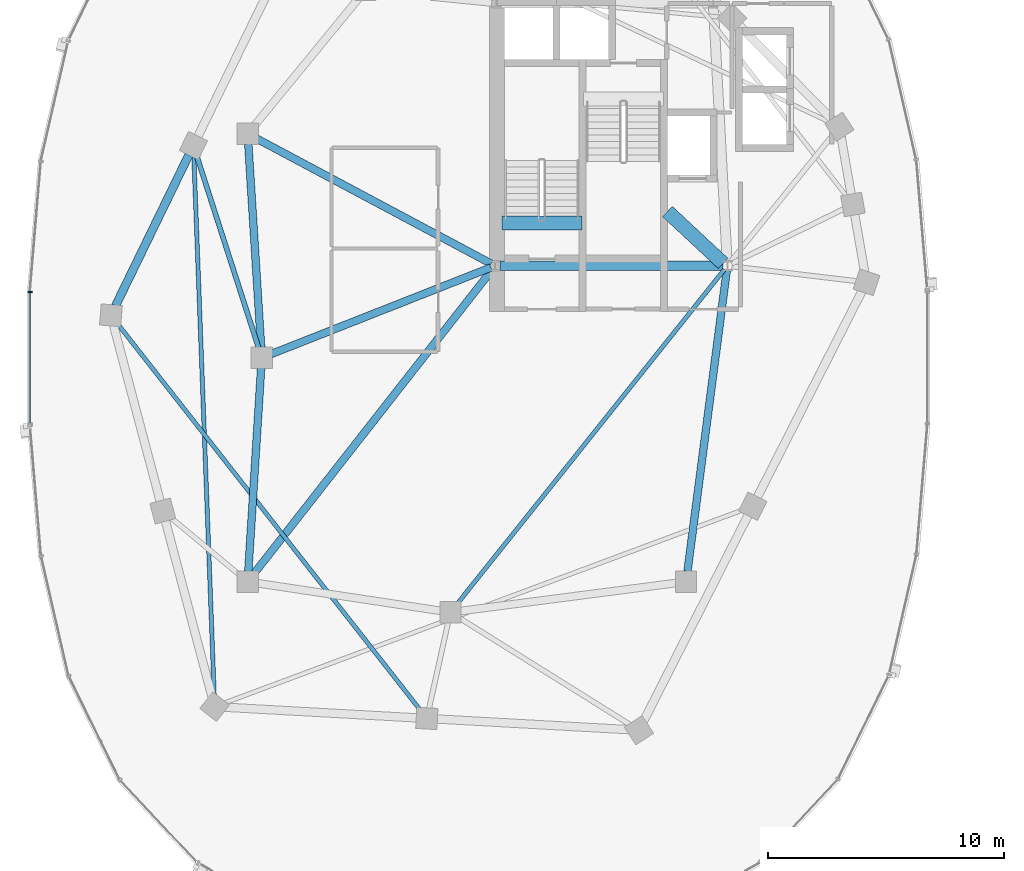
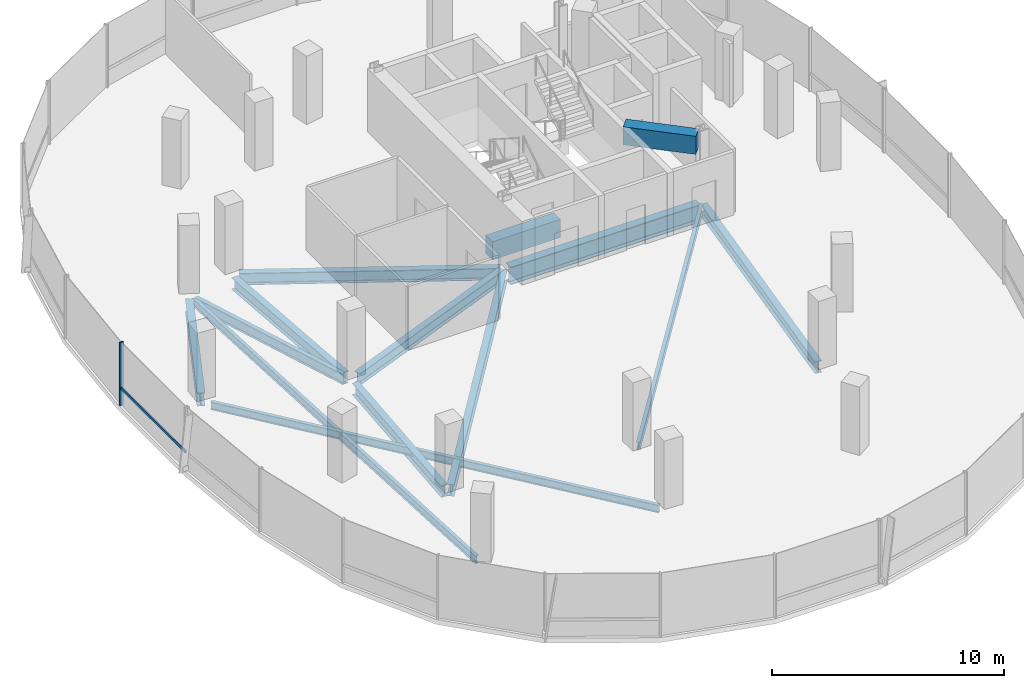
# One storey, part 4 of 24: 14 beams, 2 members, 1 element without a shape of its own.
"""IFC4 building model written with IfcOpenShell, lengths in metres."""

import ifcopenshell
import ifcopenshell.guid

model = None  # the IFC model being written
_history = None  # IfcOwnerHistory: only IFC2X3 demands one
_inside = {}  # id of a spatial element -> (the spatial element, [elements in it])
_under = {}  # id of a project, library or spatial element -> (it, [spatial elements below it])
_declared = {}  # id of a project -> (the project, [libraries it declares])
_typed = {}  # id of a type object -> (the type object, [elements of that type])
_made_of = {}  # id of a material, layer set ... -> (it, [elements and type objects made of it])


def new_model(schema):
    """Start an empty IFC model of exactly this schema.

    Asked for "IFC4X3", IfcOpenShell would pick the latest addendum, in which some entities
    have other attributes; the version numbers below select the first issue.
    IFC2X3 requires an IfcOwnerHistory on every rooted entity: one is made here for all.
    """
    global model, _history
    if schema == "IFC4X3":
        model = ifcopenshell.file(schema_version=(4, 3, 0, 0))
    else:
        model = ifcopenshell.file(schema=schema)
    _inside.clear()
    _under.clear()
    _declared.clear()
    _typed.clear()
    _made_of.clear()
    _history = None
    if model.schema == "IFC2X3":
        org = make("IfcOrganization", Name="unknown")
        user = make(
            "IfcPersonAndOrganization",
            ThePerson=make("IfcPerson", FamilyName="unknown"),
            TheOrganization=org,
        )
        app = make(
            "IfcApplication",
            ApplicationDeveloper=org,
            Version="unknown",
            ApplicationFullName="unknown",
            ApplicationIdentifier="unknown",
        )
        _history = make(
            "IfcOwnerHistory",
            OwningUser=user,
            OwningApplication=app,
            ChangeAction="ADDED",
            CreationDate=0,
        )
    return model


def make(cls, **values):
    """One entity of the class cls with the attributes given. An attribute that is None is left unset."""
    return model.create_entity(
        cls, **{name: value for name, value in values.items() if value is not None}
    )


def rooted(cls, **values):
    """An entity with a GlobalId (a new one), such as an element, a storey or a relation."""
    return make(cls, GlobalId=ifcopenshell.guid.new(), OwnerHistory=_history, **values)


def si_unit(unit_type, name, prefix=None):
    """IfcSIUnit, for example si_unit("LENGTHUNIT", "METRE", prefix="MILLI")."""
    return make("IfcSIUnit", UnitType=unit_type, Prefix=prefix, Name=name)


def assignment(units):
    """IfcUnitAssignment: the units of a project."""
    return None if units is None else make("IfcUnitAssignment", Units=units)


def point(xyz):
    """IfcCartesianPoint."""
    return None if xyz is None else make("IfcCartesianPoint", Coordinates=xyz)


def direction(xyz):
    """IfcDirection."""
    return None if xyz is None else make("IfcDirection", DirectionRatios=xyz)


def frame(location, z_axis=None, x_axis=None):
    """IfcAxis2Placement3D, a coordinate frame: its origin and axes. An axis left out is left unset."""
    return make(
        "IfcAxis2Placement3D",
        Location=point(location),
        Axis=direction(z_axis),
        RefDirection=direction(x_axis),
    )


def frame_2d(location, x_axis=None):
    """IfcAxis2Placement2D, a coordinate frame in the plane: its origin and x axis."""
    return make(
        "IfcAxis2Placement2D", Location=point(location), RefDirection=direction(x_axis)
    )


def origin():
    """The frame at (0, 0, 0) with its axes left unset."""
    return frame((0.0, 0.0, 0.0))


def origin_2d():
    """The frame at (0, 0) in the plane with its x axis left unset."""
    return frame_2d((0.0, 0.0))


def place(relative_to, where):
    """IfcLocalPlacement: puts the frame where relative to a parent placement (None: the world)."""
    return make(
        "IfcLocalPlacement", PlacementRelTo=relative_to, RelativePlacement=where
    )


def context(
    kind, dimensions, precision=None, world=None, true_north=None, identifier=None
):
    """IfcGeometricRepresentationContext, for example the 3D "Model" context."""
    return make(
        "IfcGeometricRepresentationContext",
        ContextIdentifier=identifier,
        ContextType=kind,
        CoordinateSpaceDimension=dimensions,
        Precision=precision,
        WorldCoordinateSystem=world,
        TrueNorth=true_north,
    )


def subcontext(parent, identifier, kind, view, scale=None):
    """IfcGeometricRepresentationSubContext, for example "Body" below "Model"."""
    return make(
        "IfcGeometricRepresentationSubContext",
        ContextIdentifier=identifier,
        ContextType=kind,
        ParentContext=parent,
        TargetScale=scale,
        TargetView=view,
    )


def project(units=None, contexts=None):
    """IfcProject with its units and contexts."""
    return rooted(
        "IfcProject",
        Name="project",
        RepresentationContexts=contexts,
        UnitsInContext=assignment(units),
    )


def spatial(cls, under=None, at=None, **own):
    """A site, building, storey or space (cls), placed at a placement, below another one or the project."""
    s = rooted(cls, ObjectPlacement=at, **own)
    if under is not None:
        _under.setdefault(under.id(), (under, []))[1].append(s)
    return s


def profile(cls, at=None, kind="AREA", **sizes):
    """A parametric profile (cls). Its sizes go by their IFC names, for example OverallWidth=200.0."""
    return make(cls, ProfileType=kind, Position=at, **sizes)


def rectangle(**sizes):
    """IfcRectangleProfileDef."""
    return profile("IfcRectangleProfileDef", **sizes)


def i_section(**sizes):
    """IfcIShapeProfileDef."""
    return profile("IfcIShapeProfileDef", **sizes)


def extrude(swept, where, along, depth):
    """IfcExtrudedAreaSolid: the profile swept, set in the frame where, extruded along a direction by depth."""
    return make(
        "IfcExtrudedAreaSolid",
        SweptArea=swept,
        Position=where,
        ExtrudedDirection=direction(along),
        Depth=depth,
    )


def shape(context_of_items, identifier, shape_type, items):
    """IfcShapeRepresentation: the items that make up one representation, for example the "Body"."""
    return make(
        "IfcShapeRepresentation",
        ContextOfItems=context_of_items,
        RepresentationIdentifier=identifier,
        RepresentationType=shape_type,
        Items=items,
    )


def material(Name=None, Category=None):
    """IfcMaterial."""
    return make("IfcMaterial", Name=Name, Category=Category)


def material_profile(
    of_material, cross_section, Name=None, Category=None, Priority=None
):
    """IfcMaterialProfile: a cross section and its material."""
    return make(
        "IfcMaterialProfile",
        Name=Name,
        Material=of_material,
        Profile=cross_section,
        Priority=Priority,
        Category=Category,
    )


def profile_set(profiles, Name=None, composite=None):
    """IfcMaterialProfileSet."""
    return make(
        "IfcMaterialProfileSet",
        Name=Name,
        MaterialProfiles=profiles,
        CompositeProfile=composite,
    )


def made_of(thing, what):
    """Note that an element or type object is made of a material, layer set ...; save() writes the relation."""
    if what is not None:
        _made_of.setdefault(what.id(), (what, []))[1].append(thing)
    return thing


def type_object(cls, material=None, **own):
    """A type object (cls), such as IfcWallType, which elements share."""
    return made_of(rooted(cls, **own), material)


def element(
    cls,
    number,
    at=None,
    inside=None,
    cuts=None,
    type_object=None,
    material=None,
    context=None,
    identifier="Body",
    shape_type=None,
    held_by="IfcProductDefinitionShape",
    body=None,
    shapes=None,
    **own,
):
    """One element of the class cls, such as IfcWall. Its Tag is "e" and its number.

    at: its placement. inside: the storey or other place that contains it. cuts: it is an
    opening in that element (IfcRelVoidsElement). A single representation is given by context,
    identifier, shape_type and body (its items); several are given by shapes. held_by: the class
    of the entity that holds the representations. save() writes the other relations.
    """
    e = rooted(cls, Tag="e%d" % number, ObjectPlacement=at, **own)
    if body is not None:
        shapes = [shape(context, identifier, shape_type, body)]
    if shapes is not None:
        e.Representation = make(held_by, Representations=shapes)
    if inside is not None:
        _inside.setdefault(inside.id(), (inside, []))[1].append(e)
    if cuts is not None:
        rooted(
            "IfcRelVoidsElement", RelatingBuildingElement=cuts, RelatedOpeningElement=e
        )
    if type_object is not None:
        _typed.setdefault(type_object.id(), (type_object, []))[1].append(e)
    return made_of(e, material)


def aggregate(whole, parts):
    """IfcRelAggregates: a whole, such as a stair, and the parts it consists of."""
    return rooted("IfcRelAggregates", RelatingObject=whole, RelatedObjects=parts)


def save(model, path):
    """Write the relations noted so far, then the file.

    IfcRelAggregates (storeys below a building ...), IfcRelContainedInSpatialStructure (elements
    in a storey), IfcRelDefinesByType, IfcRelAssociatesMaterial and IfcRelDeclares: one each for
    every whole, place, type object, material and project.
    """
    for whole, parts in _under.values():
        aggregate(whole, parts)
    for where, things in _inside.values():
        rooted(
            "IfcRelContainedInSpatialStructure",
            RelatedElements=things,
            RelatingStructure=where,
        )
    for kind, things in _typed.values():
        rooted("IfcRelDefinesByType", RelatedObjects=things, RelatingType=kind)
    for what, things in _made_of.values():
        rooted("IfcRelAssociatesMaterial", RelatedObjects=things, RelatingMaterial=what)
    for by, libraries in _declared.values():
        rooted("IfcRelDeclares", RelatingContext=by, RelatedDefinitions=libraries)
    model.write(path)


model = new_model("IFC4")

# Units and contexts
model_context = context("Model", 3, precision=1e-05, world=origin(), true_north=direction((0.0, 1.0)))
body_context = subcontext(model_context, "Body", "Model", "MODEL_VIEW")
ifc_project = project(units=[si_unit("LENGTHUNIT", "METRE"), si_unit("AREAUNIT", "SQUARE_METRE"), si_unit("VOLUMEUNIT", "CUBIC_METRE"), si_unit("PLANEANGLEUNIT", "RADIAN"), si_unit("MASSUNIT", "GRAM", prefix="KILO"), si_unit("THERMODYNAMICTEMPERATUREUNIT", "KELVIN"), si_unit("POWERUNIT", "WATT")], contexts=[model_context])

# Site, building, storey
site_placement = place(None, origin())
site = spatial("IfcSite", under=ifc_project, at=site_placement, CompositionType="ELEMENT")
building_placement = place(site_placement, origin())
building = spatial("IfcBuilding", under=site, at=building_placement, Name="Cundina Bronze Exchange", CompositionType="ELEMENT")
storey_placement = place(building_placement, frame((0.0, 0.0, 227.800048828125)))
storey = spatial("IfcBuildingStorey", under=building, at=storey_placement, Name="L60", CompositionType="ELEMENT", Elevation=227.800048828125)

# Beams
ifc_material_1 = material(Name="Concrete C60/75", Category="concrete")
ifc_material_profile_1 = material_profile(ifc_material_1, rectangle(XDim=0.60009765625, YDim=0.949951171875, at=origin_2d()), Name="RC600X950", Category="concrete")
ifc_profile_set_1 = profile_set([ifc_material_profile_1], Name="Concrete C60/75")
beam_type_1 = type_object("IfcBeamType", Name="BM-COUP-RC950", PredefinedType="LINTEL", material=ifc_profile_set_1)
beam_1_placement = place(storey_placement, frame((-31.02001953125, 5.719970703125, -0.47509765625), z_axis=(1.0, 0.0, 0.0), x_axis=(0.0, 1.0, 0.0)))
element("IfcBeam", 1, at=beam_1_placement, inside=storey, type_object=beam_type_1, Name="L60 Stair W1 Landing Header Beam", PredefinedType="LINTEL", context=body_context, shape_type="SweptSolid", body=[
    extrude(rectangle(XDim=0.60009765625, YDim=0.949951171875, at=origin_2d()), origin(), (0.0, 0.0, 1.0), 3.39990234375),
])
beam_2_placement = place(storey_placement, frame((-23.989990234375, 6.199951171875, 2.864990234375), z_axis=(0.731490439815, -0.681851696822, 0.0), x_axis=(0.681851696822, 0.731490439815, 0.0)))
element("IfcBeam", 2, at=beam_2_placement, inside=storey, type_object=beam_type_1, Name="L60 W Core Shear Coupling Lintel Beam", PredefinedType="LINTEL", context=body_context, shape_type="SweptSolid", body=[
    extrude(rectangle(XDim=0.60009765625, YDim=0.949951171875, at=origin_2d()), origin(), (0.0, 0.0, 1.0), 3.226318359375),
])
ifc_material_2 = material(Name="Steel ASTM A992 Grade 50", Category="steel")
ifc_material_profile_2 = material_profile(ifc_material_2, i_section(OverallWidth=0.2119140625, OverallDepth=0.5439453125, WebThickness=0.01318359375, FlangeThickness=0.021240234375, FilletRadius=0.013916015625, at=origin_2d()), Name="W21X83", Category="steel")
ifc_profile_set_2 = profile_set([ifc_material_profile_2], Name="Steel ASTM A992 Grade 50")
beam_type_2 = type_object("IfcBeamType", Name="BM-FLR-W21A", PredefinedType="BEAM", material=ifc_profile_set_2)
beam_3_placement = place(storey_placement, frame((-41.334228515625, 0.4169921875, -0.531982421875), z_axis=(-0.306727566953, 0.951797352208, 0.0), x_axis=(-0.951797352208, -0.306727566953, 0.0)))
element("IfcBeam", 3, at=beam_3_placement, inside=storey, type_object=beam_type_2, Name="L60 Leg W Radial Floor Beam 07", PredefinedType="BEAM", context=body_context, shape_type="SweptSolid", body=[
    extrude(i_section(OverallWidth=0.2119140625, OverallDepth=0.5439453125, WebThickness=0.01318359375, FlangeThickness=0.021240234375, FilletRadius=0.013916015625, at=origin_2d()), origin(), (0.0, 0.0, 1.0), 8.57958984375),
])
ifc_material_profile_3 = material_profile(ifc_material_2, i_section(OverallWidth=0.178955078125, OverallDepth=0.409912109375, WebThickness=0.0087890625, FlangeThickness=0.014404296875, FilletRadius=0.010986328125, at=origin_2d()), Name="W16X45", Category="steel")
ifc_profile_set_3 = profile_set([ifc_material_profile_3], Name="Steel ASTM A992 Grade 50")
beam_type_3 = type_object("IfcBeamType", Name="BM-JST-W16", PredefinedType="JOIST", material=ifc_profile_set_3)
beam_4_placement = place(storey_placement, frame((-21.572509765625, 3.746826171875, -0.465087890625), z_axis=(-0.624364266872, -0.781133319129, 0.0), x_axis=(0.781133319129, -0.624364266872, 0.0)))
element("IfcBeam", 4, at=beam_4_placement, inside=storey, type_object=beam_type_3, Name="L60 W Interior Core-to-Ring Joist 2", PredefinedType="JOIST", context=body_context, shape_type="SweptSolid", body=[
    extrude(i_section(OverallWidth=0.178955078125, OverallDepth=0.409912109375, WebThickness=0.0087890625, FlangeThickness=0.014404296875, FilletRadius=0.010986328125, at=origin_2d()), origin(), (0.0, 0.0, 1.0), 18.184814453125),
])
beam_5_placement = place(storey_placement, frame((-44.08349609375, 8.562255859375, -0.465087890625), z_axis=(0.037790216102, -0.999285694667, 0.0), x_axis=(0.999285694667, 0.037790216102, 0.0)))
element("IfcBeam", 5, at=beam_5_placement, inside=storey, type_object=beam_type_3, Name="L60 Leg W Lobe Floor Joist 07-10", PredefinedType="JOIST", context=body_context, shape_type="SweptSolid", body=[
    extrude(i_section(OverallWidth=0.178955078125, OverallDepth=0.409912109375, WebThickness=0.0087890625, FlangeThickness=0.014404296875, FilletRadius=0.010986328125, at=origin_2d()), origin(), (0.0, 0.0, 1.0), 22.94091796875),
])
beam_6_placement = place(storey_placement, frame((-47.329833984375, 1.455078125, -0.465087890625), z_axis=(0.616810493522, -0.787111691618, 0.0), x_axis=(0.787111691618, 0.616810493522, 0.0)))
element("IfcBeam", 6, at=beam_6_placement, inside=storey, type_object=beam_type_3, Name="L60 Leg W Lobe Floor Joist 08-11", PredefinedType="JOIST", context=body_context, shape_type="SweptSolid", body=[
    extrude(i_section(OverallWidth=0.178955078125, OverallDepth=0.409912109375, WebThickness=0.0087890625, FlangeThickness=0.014404296875, FilletRadius=0.010986328125, at=origin_2d()), origin(), (0.0, 0.0, 1.0), 20.8486328125),
])
ifc_material_profile_4 = material_profile(ifc_material_2, i_section(OverallWidth=0.324951171875, OverallDepth=0.615966796875, WebThickness=0.013916015625, FlangeThickness=0.021484375, FilletRadius=0.01611328125, at=origin_2d()), Name="W24X117", Category="steel")
ifc_profile_set_4 = profile_set([ifc_material_profile_4], Name="Steel ASTM A992 Grade 50")
beam_type_4 = type_object("IfcBeamType", Name="BM-RING-W24", PredefinedType="USERDEFINED", material=ifc_profile_set_4)
for number, where, z_axis, x_axis, name in (
    (7, (-41.7724609375, 9.06298828125, -0.568115234375), (0.063046519736, -0.998010589297, 0.0), (0.998010589297, 0.063046519736, 0.0), "L60 W Inner Structural Ring Girder 03"),
    (8, (-41.2275390625, -0.43701171875, -0.568115234375), (-0.063046519736, -0.998010589297, 0.0), (0.998010589297, -0.063046519736, 0.0), "L60 W Inner Structural Ring Girder 04"),
):
    element("IfcBeam", number, at=place(storey_placement, frame(where, z_axis=z_axis, x_axis=x_axis)), inside=storey, type_object=beam_type_4, Name=name, ObjectType="GIRDER", PredefinedType="USERDEFINED", context=body_context, shape_type="SweptSolid", body=[
        extrude(i_section(OverallWidth=0.324951171875, OverallDepth=0.615966796875, WebThickness=0.013916015625, FlangeThickness=0.021484375, FilletRadius=0.01611328125, at=origin_2d()), origin(), (0.0, 0.0, 1.0), 8.64306640625),
    ])
beam_7_placement = place(storey_placement, frame((-23.143310546875, -9.065673828125, -0.568115234375), z_axis=(0.129501251979, 0.991579258424, 0.0), x_axis=(-0.991579258424, 0.129501251979, 0.0)))
element("IfcBeam", 9, at=beam_7_placement, inside=storey, type_object=beam_type_4, Name="L60 W Inner Structural Ring Girder 07", ObjectType="GIRDER", PredefinedType="USERDEFINED", context=body_context, shape_type="SweptSolid", body=[
    extrude(i_section(OverallWidth=0.324951171875, OverallDepth=0.615966796875, WebThickness=0.013916015625, FlangeThickness=0.021484375, FilletRadius=0.01611328125, at=origin_2d()), origin(), (0.0, 0.0, 1.0), 12.8798828125),
])
beam_8_placement = place(storey_placement, frame((-31.482421875, 3.828125, -0.568115234375), z_axis=(-0.930404106569, -0.366535398673, 0.0), x_axis=(0.366535398673, -0.930404106569, 0.0)))
element("IfcBeam", 10, at=beam_8_placement, inside=storey, type_object=beam_type_4, Name="L60 W Core-to-Waist Tie Beam 1", ObjectType="GIRDER", PredefinedType="USERDEFINED", context=body_context, shape_type="SweptSolid", body=[
    extrude(i_section(OverallWidth=0.324951171875, OverallDepth=0.615966796875, WebThickness=0.013916015625, FlangeThickness=0.021484375, FilletRadius=0.01611328125, at=origin_2d()), origin(), (0.0, 0.0, 1.0), 10.00634765625),
])
beam_9_placement = place(storey_placement, frame((-31.472900390625, 3.9921875, -0.568115234375), z_axis=(-0.882350541683, 0.470592734317, 0.0), x_axis=(-0.470592734317, -0.882350541683, 0.0)))
element("IfcBeam", 11, at=beam_9_placement, inside=storey, type_object=beam_type_4, Name="L60 W Core-to-Waist Tie Beam 2", ObjectType="GIRDER", PredefinedType="USERDEFINED", context=body_context, shape_type="SweptSolid", body=[
    extrude(i_section(OverallWidth=0.324951171875, OverallDepth=0.615966796875, WebThickness=0.013916015625, FlangeThickness=0.021484375, FilletRadius=0.01611328125, at=origin_2d()), origin(), (0.0, 0.0, 1.0), 11.26611328125),
])
beam_10_placement = place(storey_placement, frame((-31.4208984375, 3.74560546875, -0.568115234375), z_axis=(-0.616782900053, -0.787133314123, 0.0), x_axis=(0.787133314123, -0.616782900053, 0.0)))
element("IfcBeam", 12, at=beam_10_placement, inside=storey, type_object=beam_type_4, Name="L60 W Core-to-Waist Tie Beam 3", ObjectType="GIRDER", PredefinedType="USERDEFINED", context=body_context, shape_type="SweptSolid", body=[
    extrude(i_section(OverallWidth=0.324951171875, OverallDepth=0.615966796875, WebThickness=0.013916015625, FlangeThickness=0.021484375, FilletRadius=0.01611328125, at=origin_2d()), origin(), (0.0, 0.0, 1.0), 16.3896484375),
])
ifc_material_profile_5 = material_profile(ifc_material_2, i_section(OverallWidth=0.35498046875, OverallDepth=0.695068359375, WebThickness=0.015380859375, FlangeThickness=0.02490234375, FilletRadius=0.01806640625, at=origin_2d()), Name="W27X146", Category="steel")
ifc_profile_set_5 = profile_set([ifc_material_profile_5], Name="Steel ASTM A992 Grade 50")
beam_type_5 = type_object("IfcBeamType", Name="BM-RING-W27", PredefinedType="USERDEFINED", material=ifc_profile_set_5)
beam_11_placement = place(storey_placement, frame((-44.29150390625, 8.606201171875, -0.607666015625), z_axis=(-0.437173087764, -0.89937739094, 0.0), x_axis=(0.89937739094, -0.437173087764, 0.0)))
element("IfcBeam", 13, at=beam_11_placement, inside=storey, type_object=beam_type_5, Name="L60 W Perimeter Ring Girder 07", ObjectType="GIRDER", PredefinedType="USERDEFINED", context=body_context, shape_type="SweptSolid", body=[
    extrude(i_section(OverallWidth=0.35498046875, OverallDepth=0.695068359375, WebThickness=0.015380859375, FlangeThickness=0.02490234375, FilletRadius=0.01806640625, at=origin_2d()), origin(), (0.0, 0.0, 1.0), 7.1298828125),
])
ifc_material_profile_6 = material_profile(ifc_material_2, i_section(OverallWidth=0.41796875, OverallDepth=0.927001953125, WebThickness=0.019287109375, FlangeThickness=0.031982421875, FilletRadius=0.02392578125, at=origin_2d()), Name="W36X231", Category="steel")
ifc_profile_set_6 = profile_set([ifc_material_profile_6], Name="Steel ASTM A992 Grade 50")
beam_type_6 = type_object("IfcBeamType", Name="BM-WRN-W36B", PredefinedType="USERDEFINED", material=ifc_profile_set_6)
beam_12_placement = place(storey_placement, frame((-31.10400390625, 3.89990234375, -0.7236328125), z_axis=(1.0, 0.0, 0.0), x_axis=(0.0, 1.0, 0.0)))
element("IfcBeam", 14, at=beam_12_placement, inside=storey, type_object=beam_type_6, Name="L60 W Core Perimeter Tie Girder 1", ObjectType="GIRDER", PredefinedType="USERDEFINED", context=body_context, shape_type="SweptSolid", body=[
    extrude(i_section(OverallWidth=0.41796875, OverallDepth=0.927001953125, WebThickness=0.019287109375, FlangeThickness=0.031982421875, FilletRadius=0.02392578125, at=origin_2d()), origin(), (0.0, 0.0, 1.0), 9.4580078125),
])

# Curtain wall, members
ifc_material_3 = material(Name="Anodised Bronze Aluminium 6063-T6", Category="aluminium")
curtain_wall_type = type_object("IfcCurtainWallType", Name="CWS-UPP-OFF", PredefinedType="NOTDEFINED", material=ifc_material_3)
curtain_wall_placement = place(storey_placement, origin())
curtain_wall = element("IfcCurtainWall", 15, at=curtain_wall_placement, inside=storey, type_object=curtain_wall_type, Name="L60 CW-05 Curtain Wall Run CWR-L60-W2", PredefinedType="NOTDEFINED")
ifc_material_profile_7 = material_profile(ifc_material_3, rectangle(XDim=0.070068359375, YDim=0.18994140625, at=origin_2d()), Name="AL70X190", Category="aluminium")
ifc_profile_set_7 = profile_set([ifc_material_profile_7], Name="Anodised Bronze Aluminium 6063-T6")
member_type_1 = type_object("IfcMemberType", Name="CWM-MUL-190", PredefinedType="MULLION", material=ifc_profile_set_7)
member_1_placement = place(storey_placement, frame((-51.033935546875, 2.794921875, 0.0), z_axis=(0.0, 0.0, 1.0), x_axis=(0.0, -1.0, 0.0)))
member_1 = element("IfcMember", 16, at=member_1_placement, type_object=member_type_1, Name="CW-05 Mullion 7", PredefinedType="MULLION", context=body_context, shape_type="SweptSolid", body=[
    extrude(rectangle(XDim=0.070068359375, YDim=0.18994140625, at=origin_2d()), origin(), (0.0, 0.0, 1.0), 3.33984375),
])
ifc_material_profile_8 = material_profile(ifc_material_3, rectangle(XDim=0.06494140625, YDim=0.14990234375, at=origin_2d()), Name="AL65X150", Category="aluminium")
ifc_profile_set_8 = profile_set([ifc_material_profile_8], Name="Anodised Bronze Aluminium 6063-T6")
member_type_2 = type_object("IfcMemberType", Name="CWM-TRN-150", PredefinedType="USERDEFINED", material=ifc_profile_set_8)
member_2_placement = place(storey_placement, frame((-51.033935546875, 2.756591796875, 0.919921875), z_axis=(0.0, -1.0, 0.0), x_axis=(1.0, 0.0, 0.0)))
member_2 = element("IfcMember", 17, at=member_2_placement, type_object=member_type_2, Name="CW-05 Spandrel Transom 7", ObjectType="TRANSOM", PredefinedType="USERDEFINED", context=body_context, shape_type="SweptSolid", body=[
    extrude(rectangle(XDim=0.06494140625, YDim=0.14990234375, at=origin_2d()), origin(), (0.0, 0.0, 1.0), 5.51318359375),
])
aggregate(curtain_wall, [member_1, member_2])

save(model, "model.ifc")
